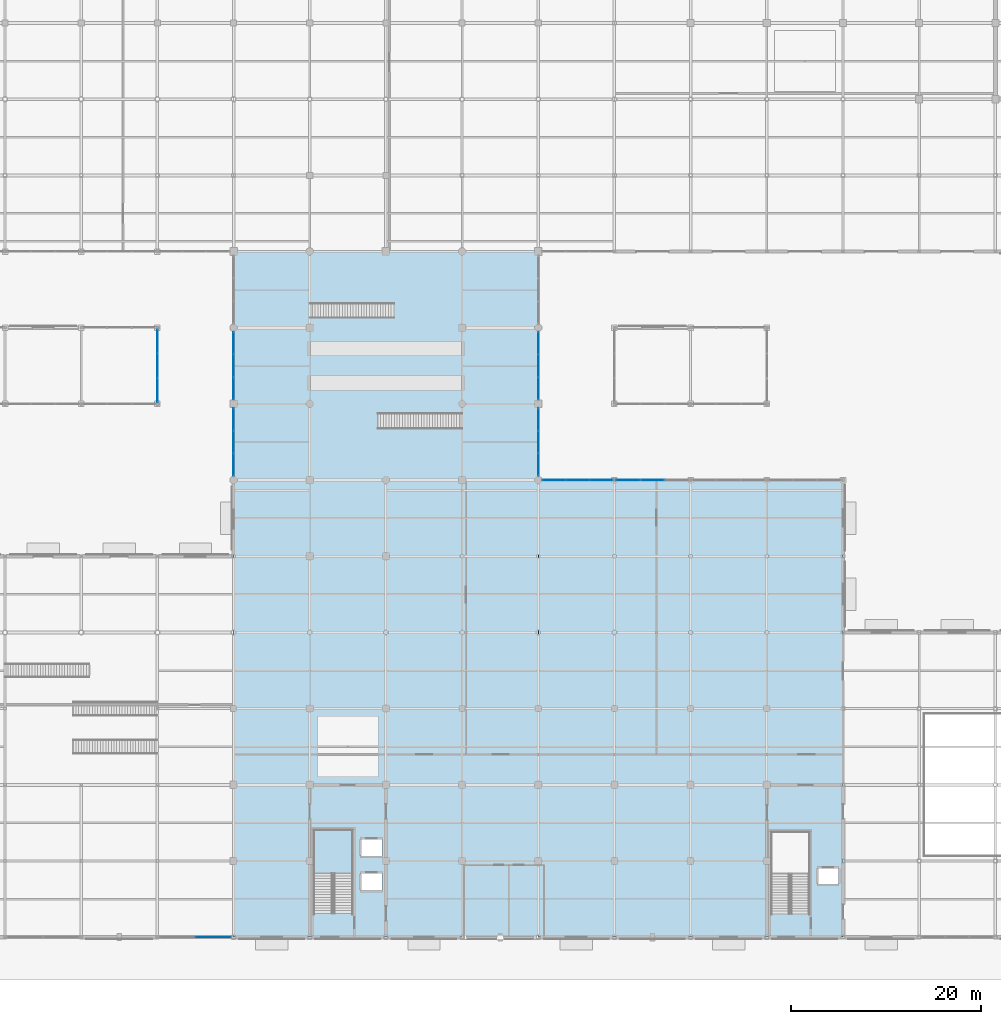
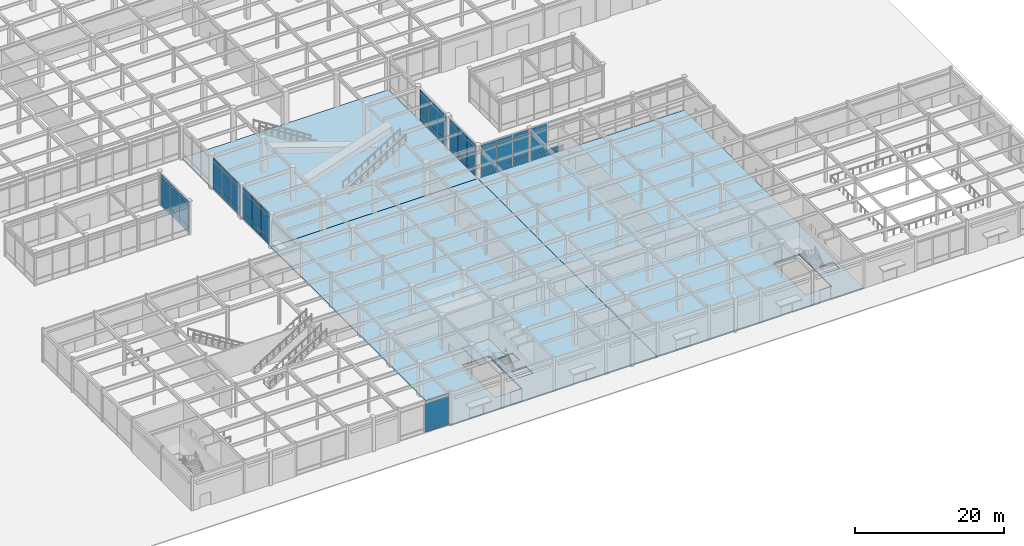
# One storey, part 95 of 128: 61 plates, 4 slabs, 9 elements without a shape of their own.
"""IFC4 building model written with IfcOpenShell, lengths in metres."""

import ifcopenshell
import ifcopenshell.guid

model = None  # the IFC model being written
_history = None  # IfcOwnerHistory: only IFC2X3 demands one
_inside = {}  # id of a spatial element -> (the spatial element, [elements in it])
_under = {}  # id of a project, library or spatial element -> (it, [spatial elements below it])
_declared = {}  # id of a project -> (the project, [libraries it declares])
_typed = {}  # id of a type object -> (the type object, [elements of that type])
_made_of = {}  # id of a material, layer set ... -> (it, [elements and type objects made of it])


def new_model(schema):
    """Start an empty IFC model of exactly this schema.

    Asked for "IFC4X3", IfcOpenShell would pick the latest addendum, in which some entities
    have other attributes; the version numbers below select the first issue.
    IFC2X3 requires an IfcOwnerHistory on every rooted entity: one is made here for all.
    """
    global model, _history
    if schema == "IFC4X3":
        model = ifcopenshell.file(schema_version=(4, 3, 0, 0))
    else:
        model = ifcopenshell.file(schema=schema)
    _inside.clear()
    _under.clear()
    _declared.clear()
    _typed.clear()
    _made_of.clear()
    _history = None
    if model.schema == "IFC2X3":
        org = make("IfcOrganization", Name="unknown")
        user = make(
            "IfcPersonAndOrganization",
            ThePerson=make("IfcPerson", FamilyName="unknown"),
            TheOrganization=org,
        )
        app = make(
            "IfcApplication",
            ApplicationDeveloper=org,
            Version="unknown",
            ApplicationFullName="unknown",
            ApplicationIdentifier="unknown",
        )
        _history = make(
            "IfcOwnerHistory",
            OwningUser=user,
            OwningApplication=app,
            ChangeAction="ADDED",
            CreationDate=0,
        )
    return model


def make(cls, **values):
    """One entity of the class cls with the attributes given. An attribute that is None is left unset."""
    return model.create_entity(
        cls, **{name: value for name, value in values.items() if value is not None}
    )


def rooted(cls, **values):
    """An entity with a GlobalId (a new one), such as an element, a storey or a relation."""
    return make(cls, GlobalId=ifcopenshell.guid.new(), OwnerHistory=_history, **values)


def si_unit(unit_type, name, prefix=None):
    """IfcSIUnit, for example si_unit("LENGTHUNIT", "METRE", prefix="MILLI")."""
    return make("IfcSIUnit", UnitType=unit_type, Prefix=prefix, Name=name)


def assignment(units):
    """IfcUnitAssignment: the units of a project."""
    return None if units is None else make("IfcUnitAssignment", Units=units)


def point(xyz):
    """IfcCartesianPoint."""
    return None if xyz is None else make("IfcCartesianPoint", Coordinates=xyz)


def direction(xyz):
    """IfcDirection."""
    return None if xyz is None else make("IfcDirection", DirectionRatios=xyz)


def frame(location, z_axis=None, x_axis=None):
    """IfcAxis2Placement3D, a coordinate frame: its origin and axes. An axis left out is left unset."""
    return make(
        "IfcAxis2Placement3D",
        Location=point(location),
        Axis=direction(z_axis),
        RefDirection=direction(x_axis),
    )


def frame_2d(location, x_axis=None):
    """IfcAxis2Placement2D, a coordinate frame in the plane: its origin and x axis."""
    return make(
        "IfcAxis2Placement2D", Location=point(location), RefDirection=direction(x_axis)
    )


def origin():
    """The frame at (0, 0, 0) with its axes left unset."""
    return frame((0.0, 0.0, 0.0))


def origin_2d():
    """The frame at (0, 0) in the plane with its x axis left unset."""
    return frame_2d((0.0, 0.0))


def place(relative_to, where):
    """IfcLocalPlacement: puts the frame where relative to a parent placement (None: the world)."""
    return make(
        "IfcLocalPlacement", PlacementRelTo=relative_to, RelativePlacement=where
    )


def context(
    kind, dimensions, precision=None, world=None, true_north=None, identifier=None
):
    """IfcGeometricRepresentationContext, for example the 3D "Model" context."""
    return make(
        "IfcGeometricRepresentationContext",
        ContextIdentifier=identifier,
        ContextType=kind,
        CoordinateSpaceDimension=dimensions,
        Precision=precision,
        WorldCoordinateSystem=world,
        TrueNorth=true_north,
    )


def subcontext(parent, identifier, kind, view, scale=None):
    """IfcGeometricRepresentationSubContext, for example "Body" below "Model"."""
    return make(
        "IfcGeometricRepresentationSubContext",
        ContextIdentifier=identifier,
        ContextType=kind,
        ParentContext=parent,
        TargetScale=scale,
        TargetView=view,
    )


def project(units=None, contexts=None):
    """IfcProject with its units and contexts."""
    return rooted(
        "IfcProject",
        Name="project",
        RepresentationContexts=contexts,
        UnitsInContext=assignment(units),
    )


def spatial(cls, under=None, at=None, **own):
    """A site, building, storey or space (cls), placed at a placement, below another one or the project."""
    s = rooted(cls, ObjectPlacement=at, **own)
    if under is not None:
        _under.setdefault(under.id(), (under, []))[1].append(s)
    return s


def polyline(points):
    """IfcPolyline through the points."""
    return make("IfcPolyline", Points=[point(p) for p in points])


def profile(cls, at=None, kind="AREA", **sizes):
    """A parametric profile (cls). Its sizes go by their IFC names, for example OverallWidth=200.0."""
    return make(cls, ProfileType=kind, Position=at, **sizes)


def rectangle(**sizes):
    """IfcRectangleProfileDef."""
    return profile("IfcRectangleProfileDef", **sizes)


def outline(outer, holes=None, kind="AREA"):
    """IfcArbitraryClosedProfileDef: a profile drawn as a closed curve; with holes, ...WithVoids."""
    if holes is None:
        return make("IfcArbitraryClosedProfileDef", ProfileType=kind, OuterCurve=outer)
    return make(
        "IfcArbitraryProfileDefWithVoids",
        ProfileType=kind,
        OuterCurve=outer,
        InnerCurves=holes,
    )


def extrude(swept, where, along, depth):
    """IfcExtrudedAreaSolid: the profile swept, set in the frame where, extruded along a direction by depth."""
    return make(
        "IfcExtrudedAreaSolid",
        SweptArea=swept,
        Position=where,
        ExtrudedDirection=direction(along),
        Depth=depth,
    )


def shape(context_of_items, identifier, shape_type, items):
    """IfcShapeRepresentation: the items that make up one representation, for example the "Body"."""
    return make(
        "IfcShapeRepresentation",
        ContextOfItems=context_of_items,
        RepresentationIdentifier=identifier,
        RepresentationType=shape_type,
        Items=items,
    )


def material(Name=None, Category=None):
    """IfcMaterial."""
    return make("IfcMaterial", Name=Name, Category=Category)


def layer(
    of_material, thickness, ventilated=None, Name=None, Category=None, Priority=None
):
    """IfcMaterialLayer: one layer of a wall or slab, of a material (None: an air gap)."""
    return make(
        "IfcMaterialLayer",
        Material=of_material,
        LayerThickness=thickness,
        IsVentilated=ventilated,
        Name=Name,
        Category=Category,
        Priority=Priority,
    )


def layer_set(layers, Name=None):
    """IfcMaterialLayerSet."""
    return make("IfcMaterialLayerSet", MaterialLayers=layers, LayerSetName=Name)


def made_of(thing, what):
    """Note that an element or type object is made of a material, layer set ...; save() writes the relation."""
    if what is not None:
        _made_of.setdefault(what.id(), (what, []))[1].append(thing)
    return thing


def type_object(cls, material=None, **own):
    """A type object (cls), such as IfcWallType, which elements share."""
    return made_of(rooted(cls, **own), material)


def element(
    cls,
    number,
    at=None,
    inside=None,
    cuts=None,
    type_object=None,
    material=None,
    context=None,
    identifier="Body",
    shape_type=None,
    held_by="IfcProductDefinitionShape",
    body=None,
    shapes=None,
    **own,
):
    """One element of the class cls, such as IfcWall. Its Tag is "e" and its number.

    at: its placement. inside: the storey or other place that contains it. cuts: it is an
    opening in that element (IfcRelVoidsElement). A single representation is given by context,
    identifier, shape_type and body (its items); several are given by shapes. held_by: the class
    of the entity that holds the representations. save() writes the other relations.
    """
    e = rooted(cls, Tag="e%d" % number, ObjectPlacement=at, **own)
    if body is not None:
        shapes = [shape(context, identifier, shape_type, body)]
    if shapes is not None:
        e.Representation = make(held_by, Representations=shapes)
    if inside is not None:
        _inside.setdefault(inside.id(), (inside, []))[1].append(e)
    if cuts is not None:
        rooted(
            "IfcRelVoidsElement", RelatingBuildingElement=cuts, RelatedOpeningElement=e
        )
    if type_object is not None:
        _typed.setdefault(type_object.id(), (type_object, []))[1].append(e)
    return made_of(e, material)


def aggregate(whole, parts):
    """IfcRelAggregates: a whole, such as a stair, and the parts it consists of."""
    return rooted("IfcRelAggregates", RelatingObject=whole, RelatedObjects=parts)


def save(model, path):
    """Write the relations noted so far, then the file.

    IfcRelAggregates (storeys below a building ...), IfcRelContainedInSpatialStructure (elements
    in a storey), IfcRelDefinesByType, IfcRelAssociatesMaterial and IfcRelDeclares: one each for
    every whole, place, type object, material and project.
    """
    for whole, parts in _under.values():
        aggregate(whole, parts)
    for where, things in _inside.values():
        rooted(
            "IfcRelContainedInSpatialStructure",
            RelatedElements=things,
            RelatingStructure=where,
        )
    for kind, things in _typed.values():
        rooted("IfcRelDefinesByType", RelatedObjects=things, RelatingType=kind)
    for what, things in _made_of.values():
        rooted("IfcRelAssociatesMaterial", RelatedObjects=things, RelatingMaterial=what)
    for by, libraries in _declared.values():
        rooted("IfcRelDeclares", RelatingContext=by, RelatedDefinitions=libraries)
    model.write(path)


model = new_model("IFC4")

# Units and contexts
model_context = context("Model", 3, precision=1e-05, world=origin(), true_north=direction((0.0, 1.0)))
body_context = subcontext(model_context, "Body", "Model", "MODEL_VIEW")
ifc_project = project(units=[si_unit("LENGTHUNIT", "METRE"), si_unit("AREAUNIT", "SQUARE_METRE"), si_unit("VOLUMEUNIT", "CUBIC_METRE"), si_unit("PLANEANGLEUNIT", "RADIAN"), si_unit("MASSUNIT", "GRAM", prefix="KILO")], contexts=[model_context])

# Site, building, storey
site_placement = place(None, origin())
site = spatial("IfcSite", under=ifc_project, at=site_placement, CompositionType="ELEMENT")
building_placement = place(site_placement, origin())
building = spatial("IfcBuilding", under=site, at=building_placement, Name="Solmirada Galleria", CompositionType="ELEMENT")
storey_placement = place(building_placement, origin())
storey = spatial("IfcBuildingStorey", under=building, at=storey_placement, Name="L00", CompositionType="ELEMENT", Elevation=0.0)

# Curtain wall, plates
ifc_material_1 = material(Name="Impact-resistant low-E double glazing", Category="glass")
curtain_wall_type_1 = type_object("IfcCurtainWallType", Name="CW-FZ3-L00-B3-L072", PredefinedType="NOTDEFINED", material=ifc_material_1)
curtain_wall_1_placement = place(storey_placement, origin())
curtain_wall_1 = element("IfcCurtainWall", 1, at=curtain_wall_1_placement, inside=storey, type_object=curtain_wall_type_1, Name="Terrace and arcade storefront CW-L00-001", PredefinedType="NOTDEFINED")
ifc_layer_1 = layer(ifc_material_1, 0.0419921875)
ifc_layer_set_1 = layer_set([ifc_layer_1], Name="Impact-resistant low-E double glazing")
plate_type_1 = type_object("IfcPlateType", Name="CW-PNL-CW01-T42", PredefinedType="CURTAIN_PANEL", material=ifc_layer_set_1)
plate_1_placement = place(storey_placement, frame((80.0, 49.618896484375, 0.06494140625), z_axis=(0.0, 0.0, 1.0), x_axis=(0.0, 1.0, 0.0)))
plate_1 = element("IfcPlate", 2, at=plate_1_placement, type_object=plate_type_1, Name="CW01 panel 1.1", PredefinedType="CURTAIN_PANEL", context=body_context, shape_type="SweptSolid", body=[
    extrude(rectangle(XDim=2.293701171875, YDim=0.0419921875, at=origin_2d()), origin(), (0.0, 0.0, 1.0), 0.782470703125),
])
plate_2_placement = place(storey_placement, frame((80.0, 49.618896484375, 0.91259765625), z_axis=(0.0, 0.0, 1.0), x_axis=(0.0, 1.0, 0.0)))
plate_2 = element("IfcPlate", 3, at=plate_2_placement, type_object=plate_type_1, Name="CW01 panel 1.2", PredefinedType="CURTAIN_PANEL", context=body_context, shape_type="SweptSolid", body=[
    extrude(rectangle(XDim=2.293701171875, YDim=0.0419921875, at=origin_2d()), origin(), (0.0, 0.0, 1.0), 3.614990234375),
])
plate_3_placement = place(storey_placement, frame((80.0, 49.618896484375, 4.592529296875), z_axis=(0.0, 0.0, 1.0), x_axis=(0.0, 1.0, 0.0)))
plate_3 = element("IfcPlate", 4, at=plate_3_placement, type_object=plate_type_1, Name="CW01 panel 1.3", PredefinedType="CURTAIN_PANEL", context=body_context, shape_type="SweptSolid", body=[
    extrude(rectangle(XDim=2.293701171875, YDim=0.0419921875, at=origin_2d()), origin(), (0.0, 0.0, 1.0), 0.66259765625),
])
plate_4_placement = place(storey_placement, frame((80.0, 52.0, 0.06494140625), z_axis=(0.0, 0.0, 1.0), x_axis=(0.0, 1.0, 0.0)))
plate_4 = element("IfcPlate", 5, at=plate_4_placement, type_object=plate_type_1, Name="CW01 panel 2.1", PredefinedType="CURTAIN_PANEL", context=body_context, shape_type="SweptSolid", body=[
    extrude(rectangle(XDim=2.32861328125, YDim=0.0419921875, at=origin_2d()), origin(), (0.0, 0.0, 1.0), 0.782470703125),
])
plate_5_placement = place(storey_placement, frame((80.0, 52.0, 0.91259765625), z_axis=(0.0, 0.0, 1.0), x_axis=(0.0, 1.0, 0.0)))
plate_5 = element("IfcPlate", 6, at=plate_5_placement, type_object=plate_type_1, Name="CW01 panel 2.2", PredefinedType="CURTAIN_PANEL", context=body_context, shape_type="SweptSolid", body=[
    extrude(rectangle(XDim=2.32861328125, YDim=0.0419921875, at=origin_2d()), origin(), (0.0, 0.0, 1.0), 3.614990234375),
])
plate_6_placement = place(storey_placement, frame((80.0, 52.0, 4.592529296875), z_axis=(0.0, 0.0, 1.0), x_axis=(0.0, 1.0, 0.0)))
plate_6 = element("IfcPlate", 7, at=plate_6_placement, type_object=plate_type_1, Name="CW01 panel 2.3", PredefinedType="CURTAIN_PANEL", context=body_context, shape_type="SweptSolid", body=[
    extrude(rectangle(XDim=2.32861328125, YDim=0.0419921875, at=origin_2d()), origin(), (0.0, 0.0, 1.0), 0.66259765625),
])
plate_7_placement = place(storey_placement, frame((80.0, 54.381103515625, 0.06494140625), z_axis=(0.0, 0.0, 1.0), x_axis=(0.0, 1.0, 0.0)))
plate_7 = element("IfcPlate", 8, at=plate_7_placement, type_object=plate_type_1, Name="CW01 panel 3.1", PredefinedType="CURTAIN_PANEL", context=body_context, shape_type="SweptSolid", body=[
    extrude(rectangle(XDim=2.293701171875, YDim=0.0419921875, at=origin_2d()), origin(), (0.0, 0.0, 1.0), 0.782470703125),
])
plate_8_placement = place(storey_placement, frame((80.0, 54.381103515625, 0.91259765625), z_axis=(0.0, 0.0, 1.0), x_axis=(0.0, 1.0, 0.0)))
plate_8 = element("IfcPlate", 9, at=plate_8_placement, type_object=plate_type_1, Name="CW01 panel 3.2", PredefinedType="CURTAIN_PANEL", context=body_context, shape_type="SweptSolid", body=[
    extrude(rectangle(XDim=2.293701171875, YDim=0.0419921875, at=origin_2d()), origin(), (0.0, 0.0, 1.0), 3.614990234375),
])
plate_9_placement = place(storey_placement, frame((80.0, 54.381103515625, 4.592529296875), z_axis=(0.0, 0.0, 1.0), x_axis=(0.0, 1.0, 0.0)))
plate_9 = element("IfcPlate", 10, at=plate_9_placement, type_object=plate_type_1, Name="CW01 panel 3.3", PredefinedType="CURTAIN_PANEL", context=body_context, shape_type="SweptSolid", body=[
    extrude(rectangle(XDim=2.293701171875, YDim=0.0419921875, at=origin_2d()), origin(), (0.0, 0.0, 1.0), 0.66259765625),
])
aggregate(curtain_wall_1, [plate_1, plate_2, plate_3, plate_4, plate_5, plate_6, plate_7, plate_8, plate_9])

curtain_wall_2_placement = place(storey_placement, origin())
curtain_wall_2 = element("IfcCurtainWall", 11, at=curtain_wall_2_placement, inside=storey, type_object=curtain_wall_type_1, Name="Terrace and arcade storefront CW-L00-002", PredefinedType="NOTDEFINED")
plate_10_placement = place(storey_placement, frame((80.0, 57.618896484375, 0.06494140625), z_axis=(0.0, 0.0, 1.0), x_axis=(0.0, 1.0, 0.0)))
plate_10 = element("IfcPlate", 12, at=plate_10_placement, type_object=plate_type_1, Name="CW01 panel 1.1", PredefinedType="CURTAIN_PANEL", context=body_context, shape_type="SweptSolid", body=[
    extrude(rectangle(XDim=2.293701171875, YDim=0.0419921875, at=origin_2d()), origin(), (0.0, 0.0, 1.0), 0.782470703125),
])
plate_11_placement = place(storey_placement, frame((80.0, 57.618896484375, 0.91259765625), z_axis=(0.0, 0.0, 1.0), x_axis=(0.0, 1.0, 0.0)))
plate_11 = element("IfcPlate", 13, at=plate_11_placement, type_object=plate_type_1, Name="CW01 panel 1.2", PredefinedType="CURTAIN_PANEL", context=body_context, shape_type="SweptSolid", body=[
    extrude(rectangle(XDim=2.293701171875, YDim=0.0419921875, at=origin_2d()), origin(), (0.0, 0.0, 1.0), 3.614990234375),
])
plate_12_placement = place(storey_placement, frame((80.0, 57.618896484375, 4.592529296875), z_axis=(0.0, 0.0, 1.0), x_axis=(0.0, 1.0, 0.0)))
plate_12 = element("IfcPlate", 14, at=plate_12_placement, type_object=plate_type_1, Name="CW01 panel 1.3", PredefinedType="CURTAIN_PANEL", context=body_context, shape_type="SweptSolid", body=[
    extrude(rectangle(XDim=2.293701171875, YDim=0.0419921875, at=origin_2d()), origin(), (0.0, 0.0, 1.0), 0.66259765625),
])
plate_13_placement = place(storey_placement, frame((80.0, 60.0, 0.06494140625), z_axis=(0.0, 0.0, 1.0), x_axis=(0.0, 1.0, 0.0)))
plate_13 = element("IfcPlate", 15, at=plate_13_placement, type_object=plate_type_1, Name="CW01 panel 2.1", PredefinedType="CURTAIN_PANEL", context=body_context, shape_type="SweptSolid", body=[
    extrude(rectangle(XDim=2.32861328125, YDim=0.0419921875, at=origin_2d()), origin(), (0.0, 0.0, 1.0), 0.782470703125),
])
plate_14_placement = place(storey_placement, frame((80.0, 60.0, 0.91259765625), z_axis=(0.0, 0.0, 1.0), x_axis=(0.0, 1.0, 0.0)))
plate_14 = element("IfcPlate", 16, at=plate_14_placement, type_object=plate_type_1, Name="CW01 panel 2.2", PredefinedType="CURTAIN_PANEL", context=body_context, shape_type="SweptSolid", body=[
    extrude(rectangle(XDim=2.32861328125, YDim=0.0419921875, at=origin_2d()), origin(), (0.0, 0.0, 1.0), 3.614990234375),
])
plate_15_placement = place(storey_placement, frame((80.0, 60.0, 4.592529296875), z_axis=(0.0, 0.0, 1.0), x_axis=(0.0, 1.0, 0.0)))
plate_15 = element("IfcPlate", 17, at=plate_15_placement, type_object=plate_type_1, Name="CW01 panel 2.3", PredefinedType="CURTAIN_PANEL", context=body_context, shape_type="SweptSolid", body=[
    extrude(rectangle(XDim=2.32861328125, YDim=0.0419921875, at=origin_2d()), origin(), (0.0, 0.0, 1.0), 0.66259765625),
])
plate_16_placement = place(storey_placement, frame((80.0, 62.381103515625, 0.06494140625), z_axis=(0.0, 0.0, 1.0), x_axis=(0.0, 1.0, 0.0)))
plate_16 = element("IfcPlate", 18, at=plate_16_placement, type_object=plate_type_1, Name="CW01 panel 3.1", PredefinedType="CURTAIN_PANEL", context=body_context, shape_type="SweptSolid", body=[
    extrude(rectangle(XDim=2.293701171875, YDim=0.0419921875, at=origin_2d()), origin(), (0.0, 0.0, 1.0), 0.782470703125),
])
plate_17_placement = place(storey_placement, frame((80.0, 62.381103515625, 0.91259765625), z_axis=(0.0, 0.0, 1.0), x_axis=(0.0, 1.0, 0.0)))
plate_17 = element("IfcPlate", 19, at=plate_17_placement, type_object=plate_type_1, Name="CW01 panel 3.2", PredefinedType="CURTAIN_PANEL", context=body_context, shape_type="SweptSolid", body=[
    extrude(rectangle(XDim=2.293701171875, YDim=0.0419921875, at=origin_2d()), origin(), (0.0, 0.0, 1.0), 3.614990234375),
])
plate_18_placement = place(storey_placement, frame((80.0, 62.381103515625, 4.592529296875), z_axis=(0.0, 0.0, 1.0), x_axis=(0.0, 1.0, 0.0)))
plate_18 = element("IfcPlate", 20, at=plate_18_placement, type_object=plate_type_1, Name="CW01 panel 3.3", PredefinedType="CURTAIN_PANEL", context=body_context, shape_type="SweptSolid", body=[
    extrude(rectangle(XDim=2.293701171875, YDim=0.0419921875, at=origin_2d()), origin(), (0.0, 0.0, 1.0), 0.66259765625),
])
aggregate(curtain_wall_2, [plate_10, plate_11, plate_12, plate_13, plate_14, plate_15, plate_16, plate_17, plate_18])

curtain_wall_3_placement = place(storey_placement, origin())
curtain_wall_3 = element("IfcCurtainWall", 21, at=curtain_wall_3_placement, inside=storey, type_object=curtain_wall_type_1, Name="Terrace and arcade storefront CW-L00-017", PredefinedType="NOTDEFINED")
plate_19_placement = place(storey_placement, frame((112.0, 62.381103515625, 0.06494140625), z_axis=(0.0, 0.0, 1.0), x_axis=(0.0, -1.0, 0.0)))
plate_19 = element("IfcPlate", 22, at=plate_19_placement, type_object=plate_type_1, Name="CW01 panel 1.1", PredefinedType="CURTAIN_PANEL", context=body_context, shape_type="SweptSolid", body=[
    extrude(rectangle(XDim=2.293701171875, YDim=0.0419921875, at=origin_2d()), origin(), (0.0, 0.0, 1.0), 0.782470703125),
])
plate_20_placement = place(storey_placement, frame((112.0, 62.381103515625, 0.91259765625), z_axis=(0.0, 0.0, 1.0), x_axis=(0.0, -1.0, 0.0)))
plate_20 = element("IfcPlate", 23, at=plate_20_placement, type_object=plate_type_1, Name="CW01 panel 1.2", PredefinedType="CURTAIN_PANEL", context=body_context, shape_type="SweptSolid", body=[
    extrude(rectangle(XDim=2.293701171875, YDim=0.0419921875, at=origin_2d()), origin(), (0.0, 0.0, 1.0), 3.614990234375),
])
plate_21_placement = place(storey_placement, frame((112.0, 62.381103515625, 4.592529296875), z_axis=(0.0, 0.0, 1.0), x_axis=(0.0, -1.0, 0.0)))
plate_21 = element("IfcPlate", 24, at=plate_21_placement, type_object=plate_type_1, Name="CW01 panel 1.3", PredefinedType="CURTAIN_PANEL", context=body_context, shape_type="SweptSolid", body=[
    extrude(rectangle(XDim=2.293701171875, YDim=0.0419921875, at=origin_2d()), origin(), (0.0, 0.0, 1.0), 0.66259765625),
])
plate_22_placement = place(storey_placement, frame((112.0, 60.0, 0.06494140625), z_axis=(0.0, 0.0, 1.0), x_axis=(0.0, -1.0, 0.0)))
plate_22 = element("IfcPlate", 25, at=plate_22_placement, type_object=plate_type_1, Name="CW01 panel 2.1", PredefinedType="CURTAIN_PANEL", context=body_context, shape_type="SweptSolid", body=[
    extrude(rectangle(XDim=2.32861328125, YDim=0.0419921875, at=origin_2d()), origin(), (0.0, 0.0, 1.0), 0.782470703125),
])
plate_23_placement = place(storey_placement, frame((112.0, 60.0, 0.91259765625), z_axis=(0.0, 0.0, 1.0), x_axis=(0.0, -1.0, 0.0)))
plate_23 = element("IfcPlate", 26, at=plate_23_placement, type_object=plate_type_1, Name="CW01 panel 2.2", PredefinedType="CURTAIN_PANEL", context=body_context, shape_type="SweptSolid", body=[
    extrude(rectangle(XDim=2.32861328125, YDim=0.0419921875, at=origin_2d()), origin(), (0.0, 0.0, 1.0), 3.614990234375),
])
plate_24_placement = place(storey_placement, frame((112.0, 60.0, 4.592529296875), z_axis=(0.0, 0.0, 1.0), x_axis=(0.0, -1.0, 0.0)))
plate_24 = element("IfcPlate", 27, at=plate_24_placement, type_object=plate_type_1, Name="CW01 panel 2.3", PredefinedType="CURTAIN_PANEL", context=body_context, shape_type="SweptSolid", body=[
    extrude(rectangle(XDim=2.32861328125, YDim=0.0419921875, at=origin_2d()), origin(), (0.0, 0.0, 1.0), 0.66259765625),
])
plate_25_placement = place(storey_placement, frame((112.0, 57.618896484375, 0.06494140625), z_axis=(0.0, 0.0, 1.0), x_axis=(0.0, -1.0, 0.0)))
plate_25 = element("IfcPlate", 28, at=plate_25_placement, type_object=plate_type_1, Name="CW01 panel 3.1", PredefinedType="CURTAIN_PANEL", context=body_context, shape_type="SweptSolid", body=[
    extrude(rectangle(XDim=2.293701171875, YDim=0.0419921875, at=origin_2d()), origin(), (0.0, 0.0, 1.0), 0.782470703125),
])
plate_26_placement = place(storey_placement, frame((112.0, 57.618896484375, 0.91259765625), z_axis=(0.0, 0.0, 1.0), x_axis=(0.0, -1.0, 0.0)))
plate_26 = element("IfcPlate", 29, at=plate_26_placement, type_object=plate_type_1, Name="CW01 panel 3.2", PredefinedType="CURTAIN_PANEL", context=body_context, shape_type="SweptSolid", body=[
    extrude(rectangle(XDim=2.293701171875, YDim=0.0419921875, at=origin_2d()), origin(), (0.0, 0.0, 1.0), 3.614990234375),
])
plate_27_placement = place(storey_placement, frame((112.0, 57.618896484375, 4.592529296875), z_axis=(0.0, 0.0, 1.0), x_axis=(0.0, -1.0, 0.0)))
plate_27 = element("IfcPlate", 30, at=plate_27_placement, type_object=plate_type_1, Name="CW01 panel 3.3", PredefinedType="CURTAIN_PANEL", context=body_context, shape_type="SweptSolid", body=[
    extrude(rectangle(XDim=2.293701171875, YDim=0.0419921875, at=origin_2d()), origin(), (0.0, 0.0, 1.0), 0.66259765625),
])
aggregate(curtain_wall_3, [plate_19, plate_20, plate_21, plate_22, plate_23, plate_24, plate_25, plate_26, plate_27])

curtain_wall_4_placement = place(storey_placement, origin())
curtain_wall_4 = element("IfcCurtainWall", 31, at=curtain_wall_4_placement, inside=storey, type_object=curtain_wall_type_1, Name="Terrace and arcade storefront CW-L00-018", PredefinedType="NOTDEFINED")
plate_28_placement = place(storey_placement, frame((112.0, 54.381103515625, 0.06494140625), z_axis=(0.0, 0.0, 1.0), x_axis=(0.0, -1.0, 0.0)))
plate_28 = element("IfcPlate", 32, at=plate_28_placement, type_object=plate_type_1, Name="CW01 panel 1.1", PredefinedType="CURTAIN_PANEL", context=body_context, shape_type="SweptSolid", body=[
    extrude(rectangle(XDim=2.293701171875, YDim=0.0419921875, at=origin_2d()), origin(), (0.0, 0.0, 1.0), 0.782470703125),
])
plate_29_placement = place(storey_placement, frame((112.0, 54.381103515625, 0.91259765625), z_axis=(0.0, 0.0, 1.0), x_axis=(0.0, -1.0, 0.0)))
plate_29 = element("IfcPlate", 33, at=plate_29_placement, type_object=plate_type_1, Name="CW01 panel 1.2", PredefinedType="CURTAIN_PANEL", context=body_context, shape_type="SweptSolid", body=[
    extrude(rectangle(XDim=2.293701171875, YDim=0.0419921875, at=origin_2d()), origin(), (0.0, 0.0, 1.0), 3.614990234375),
])
plate_30_placement = place(storey_placement, frame((112.0, 54.381103515625, 4.592529296875), z_axis=(0.0, 0.0, 1.0), x_axis=(0.0, -1.0, 0.0)))
plate_30 = element("IfcPlate", 34, at=plate_30_placement, type_object=plate_type_1, Name="CW01 panel 1.3", PredefinedType="CURTAIN_PANEL", context=body_context, shape_type="SweptSolid", body=[
    extrude(rectangle(XDim=2.293701171875, YDim=0.0419921875, at=origin_2d()), origin(), (0.0, 0.0, 1.0), 0.66259765625),
])
plate_31_placement = place(storey_placement, frame((112.0, 52.0, 0.06494140625), z_axis=(0.0, 0.0, 1.0), x_axis=(0.0, -1.0, 0.0)))
plate_31 = element("IfcPlate", 35, at=plate_31_placement, type_object=plate_type_1, Name="CW01 panel 2.1", PredefinedType="CURTAIN_PANEL", context=body_context, shape_type="SweptSolid", body=[
    extrude(rectangle(XDim=2.32861328125, YDim=0.0419921875, at=origin_2d()), origin(), (0.0, 0.0, 1.0), 0.782470703125),
])
plate_32_placement = place(storey_placement, frame((112.0, 52.0, 0.91259765625), z_axis=(0.0, 0.0, 1.0), x_axis=(0.0, -1.0, 0.0)))
plate_32 = element("IfcPlate", 36, at=plate_32_placement, type_object=plate_type_1, Name="CW01 panel 2.2", PredefinedType="CURTAIN_PANEL", context=body_context, shape_type="SweptSolid", body=[
    extrude(rectangle(XDim=2.32861328125, YDim=0.0419921875, at=origin_2d()), origin(), (0.0, 0.0, 1.0), 3.614990234375),
])
plate_33_placement = place(storey_placement, frame((112.0, 52.0, 4.592529296875), z_axis=(0.0, 0.0, 1.0), x_axis=(0.0, -1.0, 0.0)))
plate_33 = element("IfcPlate", 37, at=plate_33_placement, type_object=plate_type_1, Name="CW01 panel 2.3", PredefinedType="CURTAIN_PANEL", context=body_context, shape_type="SweptSolid", body=[
    extrude(rectangle(XDim=2.32861328125, YDim=0.0419921875, at=origin_2d()), origin(), (0.0, 0.0, 1.0), 0.66259765625),
])
plate_34_placement = place(storey_placement, frame((112.0, 49.618896484375, 0.06494140625), z_axis=(0.0, 0.0, 1.0), x_axis=(0.0, -1.0, 0.0)))
plate_34 = element("IfcPlate", 38, at=plate_34_placement, type_object=plate_type_1, Name="CW01 panel 3.1", PredefinedType="CURTAIN_PANEL", context=body_context, shape_type="SweptSolid", body=[
    extrude(rectangle(XDim=2.293701171875, YDim=0.0419921875, at=origin_2d()), origin(), (0.0, 0.0, 1.0), 0.782470703125),
])
plate_35_placement = place(storey_placement, frame((112.0, 49.618896484375, 0.91259765625), z_axis=(0.0, 0.0, 1.0), x_axis=(0.0, -1.0, 0.0)))
plate_35 = element("IfcPlate", 39, at=plate_35_placement, type_object=plate_type_1, Name="CW01 panel 3.2", PredefinedType="CURTAIN_PANEL", context=body_context, shape_type="SweptSolid", body=[
    extrude(rectangle(XDim=2.293701171875, YDim=0.0419921875, at=origin_2d()), origin(), (0.0, 0.0, 1.0), 3.614990234375),
])
plate_36_placement = place(storey_placement, frame((112.0, 49.618896484375, 4.592529296875), z_axis=(0.0, 0.0, 1.0), x_axis=(0.0, -1.0, 0.0)))
plate_36 = element("IfcPlate", 40, at=plate_36_placement, type_object=plate_type_1, Name="CW01 panel 3.3", PredefinedType="CURTAIN_PANEL", context=body_context, shape_type="SweptSolid", body=[
    extrude(rectangle(XDim=2.293701171875, YDim=0.0419921875, at=origin_2d()), origin(), (0.0, 0.0, 1.0), 0.66259765625),
])
aggregate(curtain_wall_4, [plate_28, plate_29, plate_30, plate_31, plate_32, plate_33, plate_34, plate_35, plate_36])

curtain_wall_type_2 = type_object("IfcCurtainWallType", Name="CW-FZ5-L00-B3-L075", PredefinedType="NOTDEFINED", material=ifc_material_1)
curtain_wall_5_placement = place(storey_placement, origin())
curtain_wall_5 = element("IfcCurtainWall", 41, at=curtain_wall_5_placement, inside=storey, type_object=curtain_wall_type_2, Name="Terrace and arcade storefront CW-L00-019", PredefinedType="NOTDEFINED")
ifc_layer_2 = layer(ifc_material_1, 0.0419921875)
ifc_layer_set_2 = layer_set([ifc_layer_2], Name="Impact-resistant low-E double glazing")
plate_type_2 = type_object("IfcPlateType", Name="CW-PNL-CW07-T42", PredefinedType="CURTAIN_PANEL", material=ifc_layer_set_2)
plate_37_placement = place(storey_placement, frame((113.664306640625, 48.0, 0.06494140625), z_axis=(0.0, 0.0, 1.0), x_axis=(1.0, 0.0, 0.0)))
plate_37 = element("IfcPlate", 42, at=plate_37_placement, type_object=plate_type_2, Name="CW07 panel 1.1", PredefinedType="CURTAIN_PANEL", context=body_context, shape_type="SweptSolid", body=[
    extrude(rectangle(XDim=2.384765625, YDim=0.0419921875, at=origin_2d()), origin(), (0.0, 0.0, 1.0), 0.902587890625),
])
plate_38_placement = place(storey_placement, frame((113.664306640625, 48.0, 1.032470703125), z_axis=(0.0, 0.0, 1.0), x_axis=(1.0, 0.0, 0.0)))
plate_38 = element("IfcPlate", 43, at=plate_38_placement, type_object=plate_type_2, Name="CW07 panel 1.2", PredefinedType="CURTAIN_PANEL", context=body_context, shape_type="SweptSolid", body=[
    extrude(rectangle(XDim=2.384765625, YDim=0.0419921875, at=origin_2d()), origin(), (0.0, 0.0, 1.0), 3.39501953125),
])
plate_39_placement = place(storey_placement, frame((113.664306640625, 48.0, 4.49267578125), z_axis=(0.0, 0.0, 1.0), x_axis=(1.0, 0.0, 0.0)))
plate_39 = element("IfcPlate", 44, at=plate_39_placement, type_object=plate_type_2, Name="CW07 panel 1.3", PredefinedType="CURTAIN_PANEL", context=body_context, shape_type="SweptSolid", body=[
    extrude(rectangle(XDim=2.384765625, YDim=0.0419921875, at=origin_2d()), origin(), (0.0, 0.0, 1.0), 0.762451171875),
])
plate_40_placement = place(storey_placement, frame((116.136474609375, 48.0, 0.06494140625), z_axis=(0.0, 0.0, 1.0), x_axis=(1.0, 0.0, 0.0)))
plate_40 = element("IfcPlate", 45, at=plate_40_placement, type_object=plate_type_2, Name="CW07 panel 2.1", PredefinedType="CURTAIN_PANEL", context=body_context, shape_type="SweptSolid", body=[
    extrude(rectangle(XDim=2.419677734375, YDim=0.0419921875, at=origin_2d()), origin(), (0.0, 0.0, 1.0), 0.902587890625),
])
plate_41_placement = place(storey_placement, frame((116.136474609375, 48.0, 1.032470703125), z_axis=(0.0, 0.0, 1.0), x_axis=(1.0, 0.0, 0.0)))
plate_41 = element("IfcPlate", 46, at=plate_41_placement, type_object=plate_type_2, Name="CW07 panel 2.2", PredefinedType="CURTAIN_PANEL", context=body_context, shape_type="SweptSolid", body=[
    extrude(rectangle(XDim=2.419677734375, YDim=0.0419921875, at=origin_2d()), origin(), (0.0, 0.0, 1.0), 3.39501953125),
])
plate_42_placement = place(storey_placement, frame((116.136474609375, 48.0, 4.49267578125), z_axis=(0.0, 0.0, 1.0), x_axis=(1.0, 0.0, 0.0)))
plate_42 = element("IfcPlate", 47, at=plate_42_placement, type_object=plate_type_2, Name="CW07 panel 2.3", PredefinedType="CURTAIN_PANEL", context=body_context, shape_type="SweptSolid", body=[
    extrude(rectangle(XDim=2.419677734375, YDim=0.0419921875, at=origin_2d()), origin(), (0.0, 0.0, 1.0), 0.762451171875),
])
plate_43_placement = place(storey_placement, frame((118.608642578125, 48.0, 0.06494140625), z_axis=(0.0, 0.0, 1.0), x_axis=(1.0, 0.0, 0.0)))
plate_43 = element("IfcPlate", 48, at=plate_43_placement, type_object=plate_type_2, Name="CW07 panel 3.1", PredefinedType="CURTAIN_PANEL", context=body_context, shape_type="SweptSolid", body=[
    extrude(rectangle(XDim=2.384765625, YDim=0.0419921875, at=origin_2d()), origin(), (0.0, 0.0, 1.0), 0.902587890625),
])
plate_44_placement = place(storey_placement, frame((118.608642578125, 48.0, 1.032470703125), z_axis=(0.0, 0.0, 1.0), x_axis=(1.0, 0.0, 0.0)))
plate_44 = element("IfcPlate", 49, at=plate_44_placement, type_object=plate_type_2, Name="CW07 panel 3.2", PredefinedType="CURTAIN_PANEL", context=body_context, shape_type="SweptSolid", body=[
    extrude(rectangle(XDim=2.384765625, YDim=0.0419921875, at=origin_2d()), origin(), (0.0, 0.0, 1.0), 3.39501953125),
])
plate_45_placement = place(storey_placement, frame((118.608642578125, 48.0, 4.49267578125), z_axis=(0.0, 0.0, 1.0), x_axis=(1.0, 0.0, 0.0)))
plate_45 = element("IfcPlate", 50, at=plate_45_placement, type_object=plate_type_2, Name="CW07 panel 3.3", PredefinedType="CURTAIN_PANEL", context=body_context, shape_type="SweptSolid", body=[
    extrude(rectangle(XDim=2.384765625, YDim=0.0419921875, at=origin_2d()), origin(), (0.0, 0.0, 1.0), 0.762451171875),
])
aggregate(curtain_wall_5, [plate_37, plate_38, plate_39, plate_40, plate_41, plate_42, plate_43, plate_44, plate_45])

curtain_wall_type_3 = type_object("IfcCurtainWallType", Name="CW-FZ5-L00-B3-L077", PredefinedType="NOTDEFINED", material=ifc_material_1)
curtain_wall_6_placement = place(storey_placement, origin())
curtain_wall_6 = element("IfcCurtainWall", 51, at=curtain_wall_6_placement, inside=storey, type_object=curtain_wall_type_3, Name="Terrace and arcade storefront CW-L00-020", PredefinedType="NOTDEFINED")
ifc_layer_3 = layer(ifc_material_1, 0.048095703125)
ifc_layer_set_3 = layer_set([ifc_layer_3], Name="Impact-resistant low-E double glazing")
plate_type_3 = type_object("IfcPlateType", Name="CW-PNL-CW08-T48", PredefinedType="CURTAIN_PANEL", material=ifc_layer_set_3)
plate_46_placement = place(storey_placement, frame((121.436767578125, 48.0, 0.06494140625), z_axis=(0.0, 0.0, 1.0), x_axis=(1.0, 0.0, 0.0)))
plate_46 = element("IfcPlate", 52, at=plate_46_placement, type_object=plate_type_3, Name="CW08 panel 1.1", PredefinedType="CURTAIN_PANEL", context=body_context, shape_type="SweptSolid", body=[
    extrude(rectangle(XDim=2.4755859375, YDim=0.048095703125, at=origin_2d()), origin(), (0.0, 0.0, 1.0), 0.902587890625),
])
plate_47_placement = place(storey_placement, frame((121.436767578125, 48.0, 1.032470703125), z_axis=(0.0, 0.0, 1.0), x_axis=(1.0, 0.0, 0.0)))
plate_47 = element("IfcPlate", 53, at=plate_47_placement, type_object=plate_type_3, Name="CW08 panel 1.2", PredefinedType="CURTAIN_PANEL", context=body_context, shape_type="SweptSolid", body=[
    extrude(rectangle(XDim=2.4755859375, YDim=0.048095703125, at=origin_2d()), origin(), (0.0, 0.0, 1.0), 3.39501953125),
])
plate_48_placement = place(storey_placement, frame((121.436767578125, 48.0, 4.49267578125), z_axis=(0.0, 0.0, 1.0), x_axis=(1.0, 0.0, 0.0)))
plate_48 = element("IfcPlate", 54, at=plate_48_placement, type_object=plate_type_3, Name="CW08 panel 1.3", PredefinedType="CURTAIN_PANEL", context=body_context, shape_type="SweptSolid", body=[
    extrude(rectangle(XDim=2.4755859375, YDim=0.048095703125, at=origin_2d()), origin(), (0.0, 0.0, 1.0), 0.762451171875),
])
plate_49_placement = place(storey_placement, frame((124.0, 48.0, 0.06494140625), z_axis=(0.0, 0.0, 1.0), x_axis=(1.0, 0.0, 0.0)))
plate_49 = element("IfcPlate", 55, at=plate_49_placement, type_object=plate_type_3, Name="CW08 panel 2.1", PredefinedType="CURTAIN_PANEL", context=body_context, shape_type="SweptSolid", body=[
    extrude(rectangle(XDim=2.5107421875, YDim=0.048095703125, at=origin_2d()), origin(), (0.0, 0.0, 1.0), 0.902587890625),
])
aggregate(curtain_wall_6, [plate_46, plate_47, plate_48, plate_49])

curtain_wall_7_placement = place(storey_placement, origin())
curtain_wall_7 = element("IfcCurtainWall", 56, at=curtain_wall_7_placement, inside=storey, type_object=curtain_wall_type_3, Name="Terrace and arcade storefront CW-L00-031", PredefinedType="NOTDEFINED")
plate_50_placement = place(storey_placement, frame((72.0, 62.563232421875, 0.06494140625), z_axis=(0.0, 0.0, 1.0), x_axis=(0.0, -1.0, 0.0)))
plate_50 = element("IfcPlate", 57, at=plate_50_placement, type_object=plate_type_3, Name="CW08 panel 1.1", PredefinedType="CURTAIN_PANEL", context=body_context, shape_type="SweptSolid", body=[
    extrude(rectangle(XDim=2.4755859375, YDim=0.048095703125, at=origin_2d()), origin(), (0.0, 0.0, 1.0), 0.902587890625),
])
plate_51_placement = place(storey_placement, frame((72.0, 62.563232421875, 1.032470703125), z_axis=(0.0, 0.0, 1.0), x_axis=(0.0, -1.0, 0.0)))
plate_51 = element("IfcPlate", 58, at=plate_51_placement, type_object=plate_type_3, Name="CW08 panel 1.2", PredefinedType="CURTAIN_PANEL", context=body_context, shape_type="SweptSolid", body=[
    extrude(rectangle(XDim=2.4755859375, YDim=0.048095703125, at=origin_2d()), origin(), (0.0, 0.0, 1.0), 3.39501953125),
])
plate_52_placement = place(storey_placement, frame((72.0, 62.563232421875, 4.49267578125), z_axis=(0.0, 0.0, 1.0), x_axis=(0.0, -1.0, 0.0)))
plate_52 = element("IfcPlate", 59, at=plate_52_placement, type_object=plate_type_3, Name="CW08 panel 1.3", PredefinedType="CURTAIN_PANEL", context=body_context, shape_type="SweptSolid", body=[
    extrude(rectangle(XDim=2.4755859375, YDim=0.048095703125, at=origin_2d()), origin(), (0.0, 0.0, 1.0), 0.762451171875),
])
plate_53_placement = place(storey_placement, frame((72.0, 60.0, 0.06494140625), z_axis=(0.0, 0.0, 1.0), x_axis=(0.0, -1.0, 0.0)))
plate_53 = element("IfcPlate", 60, at=plate_53_placement, type_object=plate_type_3, Name="CW08 panel 2.1", PredefinedType="CURTAIN_PANEL", context=body_context, shape_type="SweptSolid", body=[
    extrude(rectangle(XDim=2.5107421875, YDim=0.048095703125, at=origin_2d()), origin(), (0.0, 0.0, 1.0), 0.902587890625),
])
plate_54_placement = place(storey_placement, frame((72.0, 60.0, 1.032470703125), z_axis=(0.0, 0.0, 1.0), x_axis=(0.0, -1.0, 0.0)))
plate_54 = element("IfcPlate", 61, at=plate_54_placement, type_object=plate_type_3, Name="CW08 panel 2.2", PredefinedType="CURTAIN_PANEL", context=body_context, shape_type="SweptSolid", body=[
    extrude(rectangle(XDim=2.5107421875, YDim=0.048095703125, at=origin_2d()), origin(), (0.0, 0.0, 1.0), 3.39501953125),
])
plate_55_placement = place(storey_placement, frame((72.0, 60.0, 4.49267578125), z_axis=(0.0, 0.0, 1.0), x_axis=(0.0, -1.0, 0.0)))
plate_55 = element("IfcPlate", 62, at=plate_55_placement, type_object=plate_type_3, Name="CW08 panel 2.3", PredefinedType="CURTAIN_PANEL", context=body_context, shape_type="SweptSolid", body=[
    extrude(rectangle(XDim=2.5107421875, YDim=0.048095703125, at=origin_2d()), origin(), (0.0, 0.0, 1.0), 0.762451171875),
])
plate_56_placement = place(storey_placement, frame((72.0, 57.436767578125, 0.06494140625), z_axis=(0.0, 0.0, 1.0), x_axis=(0.0, -1.0, 0.0)))
plate_56 = element("IfcPlate", 63, at=plate_56_placement, type_object=plate_type_3, Name="CW08 panel 3.1", PredefinedType="CURTAIN_PANEL", context=body_context, shape_type="SweptSolid", body=[
    extrude(rectangle(XDim=2.4755859375, YDim=0.048095703125, at=origin_2d()), origin(), (0.0, 0.0, 1.0), 0.902587890625),
])
plate_57_placement = place(storey_placement, frame((72.0, 57.436767578125, 1.032470703125), z_axis=(0.0, 0.0, 1.0), x_axis=(0.0, -1.0, 0.0)))
plate_57 = element("IfcPlate", 64, at=plate_57_placement, type_object=plate_type_3, Name="CW08 panel 3.2", PredefinedType="CURTAIN_PANEL", context=body_context, shape_type="SweptSolid", body=[
    extrude(rectangle(XDim=2.4755859375, YDim=0.048095703125, at=origin_2d()), origin(), (0.0, 0.0, 1.0), 3.39501953125),
])
plate_58_placement = place(storey_placement, frame((72.0, 57.436767578125, 4.49267578125), z_axis=(0.0, 0.0, 1.0), x_axis=(0.0, -1.0, 0.0)))
plate_58 = element("IfcPlate", 65, at=plate_58_placement, type_object=plate_type_3, Name="CW08 panel 3.3", PredefinedType="CURTAIN_PANEL", context=body_context, shape_type="SweptSolid", body=[
    extrude(rectangle(XDim=2.4755859375, YDim=0.048095703125, at=origin_2d()), origin(), (0.0, 0.0, 1.0), 0.762451171875),
])
aggregate(curtain_wall_7, [plate_50, plate_51, plate_52, plate_53, plate_54, plate_55, plate_56, plate_57, plate_58])

curtain_wall_type_4 = type_object("IfcCurtainWallType", Name="CW-FZ1-L00-B2-L076", PredefinedType="NOTDEFINED", material=ifc_material_1)
curtain_wall_8_placement = place(storey_placement, origin())
curtain_wall_8 = element("IfcCurtainWall", 66, at=curtain_wall_8_placement, inside=storey, type_object=curtain_wall_type_4, Name="Terrace and arcade storefront CW-L00-026", PredefinedType="NOTDEFINED")
ifc_layer_4 = layer(ifc_material_1, 0.02392578125)
ifc_layer_set_4 = layer_set([ifc_layer_4], Name="Impact-resistant low-E double glazing")
plate_type_4 = type_object("IfcPlateType", Name="CW-PNL-CW10-T24", PredefinedType="CURTAIN_PANEL", material=ifc_layer_set_4)
plate_59_placement = place(storey_placement, frame((77.867431640625, 0.0, 0.06494140625), z_axis=(0.0, 0.0, 1.0), x_axis=(-1.0, 0.0, 0.0)))
plate_59 = element("IfcPlate", 67, at=plate_59_placement, type_object=plate_type_4, Name="CW10 panel 1.1", PredefinedType="CURTAIN_PANEL", context=body_context, shape_type="SweptSolid", body=[
    extrude(rectangle(XDim=3.71533203125, YDim=0.02392578125, at=origin_2d()), origin(), (0.0, 0.0, 1.0), 0.66259765625),
])
plate_60_placement = place(storey_placement, frame((77.867431640625, 0.0, 0.79248046875), z_axis=(0.0, 0.0, 1.0), x_axis=(-1.0, 0.0, 0.0)))
plate_60 = element("IfcPlate", 68, at=plate_60_placement, type_object=plate_type_4, Name="CW10 panel 1.2", PredefinedType="CURTAIN_PANEL", context=body_context, shape_type="SweptSolid", body=[
    extrude(rectangle(XDim=3.71533203125, YDim=0.02392578125, at=origin_2d()), origin(), (0.0, 0.0, 1.0), 3.8349609375),
])
plate_61_placement = place(storey_placement, frame((77.867431640625, 0.0, 4.6923828125), z_axis=(0.0, 0.0, 1.0), x_axis=(-1.0, 0.0, 0.0)))
plate_61 = element("IfcPlate", 69, at=plate_61_placement, type_object=plate_type_4, Name="CW10 panel 1.3", PredefinedType="CURTAIN_PANEL", context=body_context, shape_type="SweptSolid", body=[
    extrude(rectangle(XDim=3.71533203125, YDim=0.02392578125, at=origin_2d()), origin(), (0.0, 0.0, 1.0), 0.5625),
])
aggregate(curtain_wall_8, [plate_59, plate_60, plate_61])

# Slabs
ifc_material_2 = material(Name="Concrete C35/45", Category="concrete")
ifc_layer_5 = layer(ifc_material_2, 0.219970703125)
ifc_layer_set_5 = layer_set([ifc_layer_5], Name="Concrete C35/45")
slab_type_1 = type_object("IfcSlabType", Name="SLB-FLOOR-220", PredefinedType="FLOOR", material=ifc_layer_set_5)
slab_1_placement = place(storey_placement, frame((0.0, 0.0, -0.219970703125)))
element("IfcSlab", 70, at=slab_1_placement, inside=storey, type_object=slab_type_1, Name="Slab L00-SOUTH-W", PredefinedType="FLOOR", context=body_context, shape_type="SweptSolid", body=[
    extrude(outline(polyline([(80.0, 0.0), (112.0, 0.0), (112.0, 48.0), (80.0, 48.0), (80.0, 0.0)]), holes=[polyline([(88.39990234375, 2.5), (92.550048828125, 2.5), (92.550048828125, 11.300048828125), (88.39990234375, 11.300048828125), (88.39990234375, 2.5)]), polyline([(93.375, 4.89990234375), (95.625, 4.89990234375), (95.625, 6.699951171875), (93.375, 6.699951171875), (93.375, 4.89990234375)]), polyline([(93.375, 8.5), (95.625, 8.5), (95.625, 10.300048828125), (93.375, 10.300048828125), (93.375, 8.5)])]), origin(), (0.0, 0.0, 1.0), 0.219970703125),
])
slab_2_placement = place(storey_placement, frame((0.0, 0.0, -0.219970703125)))
element("IfcSlab", 71, at=slab_2_placement, inside=storey, type_object=slab_type_1, Name="Slab L00-SOUTH-E", PredefinedType="FLOOR", context=body_context, shape_type="SweptSolid", body=[
    extrude(outline(polyline([(112.0, 0.0), (144.0, 0.0), (144.0, 48.0), (112.0, 48.0), (112.0, 0.0)]), holes=[polyline([(136.449951171875, 2.449951171875), (140.5, 2.449951171875), (140.5, 11.10009765625), (136.449951171875, 11.10009765625), (136.449951171875, 2.449951171875)]), polyline([(141.375, 5.550048828125), (143.52490234375, 5.550048828125), (143.52490234375, 7.25), (141.375, 7.25), (141.375, 5.550048828125)])]), origin(), (0.0, 0.0, 1.0), 0.219970703125),
])
slab_3_placement = place(storey_placement, frame((0.0, 0.0, -0.219970703125)))
element("IfcSlab", 72, at=slab_3_placement, inside=storey, type_object=slab_type_1, Name="Slab L00-ATRIUM", PredefinedType="FLOOR", context=body_context, shape_type="SweptSolid", body=[
    extrude(outline(polyline([(80.0, 48.0), (112.0, 48.0), (112.0, 72.0), (80.0, 72.0), (80.0, 48.0)])), origin(), (0.0, 0.0, 1.0), 0.219970703125),
])

# Stair, slab
stair_type = type_object("IfcStairType", Name="STR-DOG-200-H56", PredefinedType="HALF_TURN_STAIR", material=ifc_material_2)
stair_placement = place(storey_placement, origin())
stair = element("IfcStair", 73, at=stair_placement, inside=storey, type_object=stair_type, Name="L00 South Sales Core Exit Stair ST2", PredefinedType="HALF_TURN_STAIR")
ifc_layer_6 = layer(ifc_material_2, 0.199951171875)
ifc_layer_set_6 = layer_set([ifc_layer_6], Name="Concrete C35/45")
slab_type_2 = type_object("IfcSlabType", Name="SLB-LAND-200", PredefinedType="LANDING", material=ifc_layer_set_6)
slab_4_placement = place(storey_placement, frame((0.0, 0.0, 2.60009765625)))
slab_4 = element("IfcSlab", 74, at=slab_4_placement, type_object=slab_type_2, Name="ST2 landing 1", PredefinedType="LANDING", context=body_context, shape_type="SweptSolid", body=[
    extrude(outline(polyline([(92.550048828125, 6.699951171875), (92.550048828125, 11.300048828125), (88.39990234375, 11.300048828125), (88.39990234375, 6.699951171875), (92.550048828125, 6.699951171875)])), origin(), (0.0, 0.0, 1.0), 0.199951171875),
])
aggregate(stair, [slab_4])

save(model, "model.ifc")
